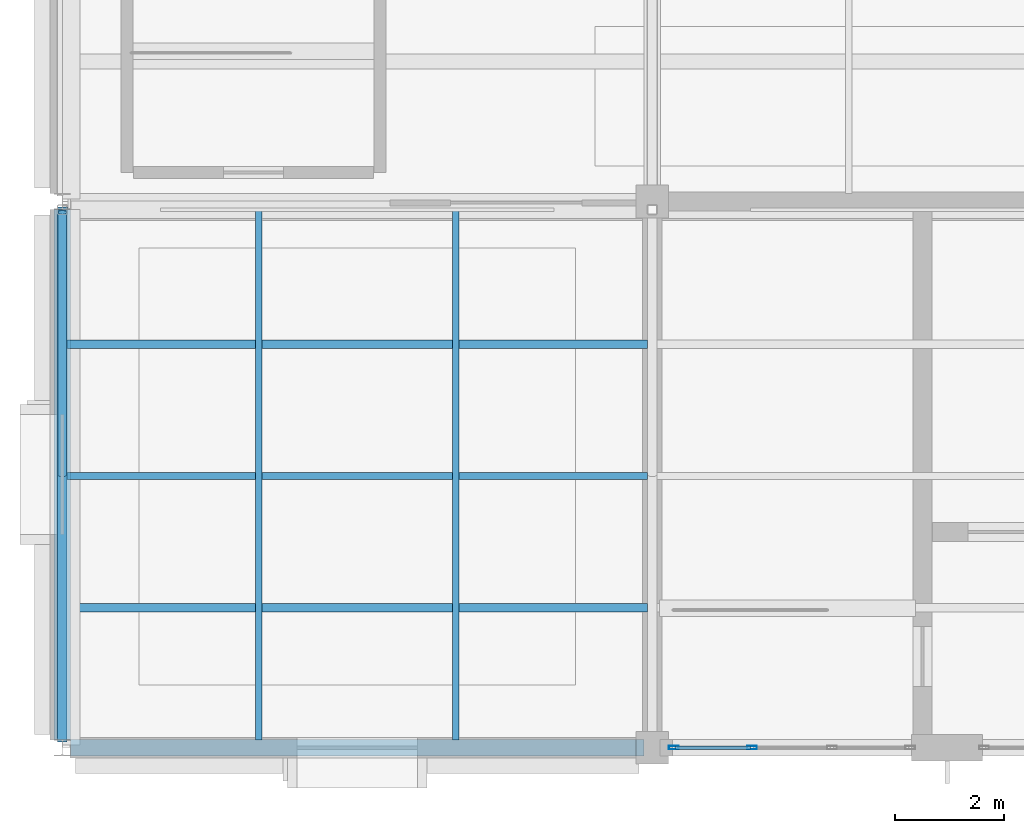
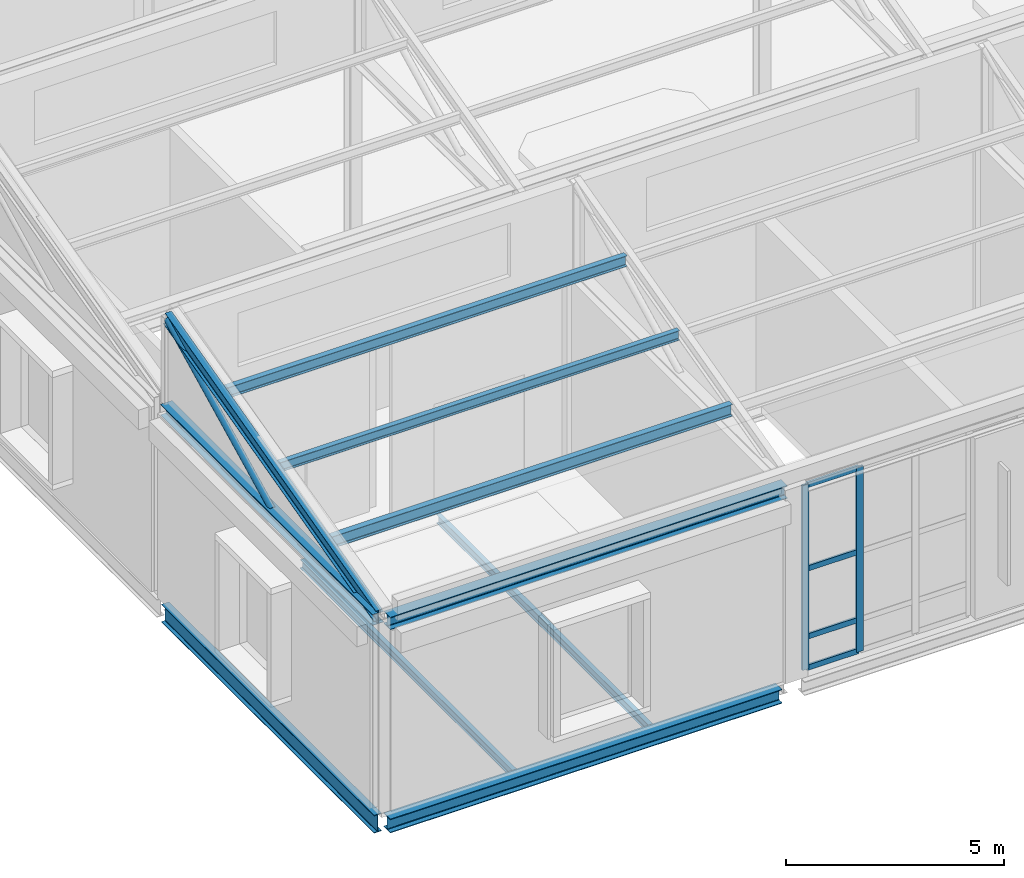
# One storey, part 4 of 49: 12 members, 5 beams, 1 element without a shape of its own.
"""IFC4 building model written with IfcOpenShell, lengths in metres."""

from ifc_helpers import new_model, si_unit, direction, frame, origin, origin_2d, place, context, subcontext, project, spatial, hollow_rectangle, hollow_circle, i_section, extrude, material, layer, layer_set, material_profile, profile_set, type_object, element, aggregate, save


model = new_model("IFC4")

# Units and contexts
model_context = context("Model", 3, precision=1e-05, world=origin(), true_north=direction((0.0, 1.0)))
body_context = subcontext(model_context, "Body", "Model", "MODEL_VIEW")
ifc_project = project(units=[si_unit("LENGTHUNIT", "METRE"), si_unit("AREAUNIT", "SQUARE_METRE"), si_unit("VOLUMEUNIT", "CUBIC_METRE"), si_unit("PLANEANGLEUNIT", "RADIAN"), si_unit("MASSUNIT", "GRAM", prefix="KILO")], contexts=[model_context])

# Site, building, storey
site_placement = place(None, origin())
site = spatial("IfcSite", under=ifc_project, at=site_placement, CompositionType="ELEMENT")
building_placement = place(site_placement, origin())
building = spatial("IfcBuilding", under=site, at=building_placement, Name="Tasgan Crest Museum", CompositionType="ELEMENT")
storey_placement = place(building_placement, frame((0.0, 0.0, 28.800048828125)))
storey = spatial("IfcBuildingStorey", under=building, at=storey_placement, Name="L05", CompositionType="ELEMENT", Elevation=28.800048828125)

# Beams
ifc_material_1 = material(Name="Steel S355J2", Category="steel")
ifc_material_profile_1 = material_profile(ifc_material_1, i_section(OverallWidth=0.300048828125, OverallDepth=0.35009765625, WebThickness=0.009521484375, FlangeThickness=0.017578125, FilletRadius=0.027099609375, at=origin_2d()), Name="HEA 360")
ifc_profile_set_1 = profile_set([ifc_material_profile_1], Name="Steel S355J2")
beam_type_1 = type_object("IfcBeamType", Name="BM-G-HEA360", PredefinedType="BEAM", material=ifc_profile_set_1)
beam_1_placement = place(storey_placement, frame((0.14990234375, 82.0, 5.219970703125), z_axis=(1.0, 0.0, 0.0), x_axis=(0.0, 1.0, 0.0)))
element("IfcBeam", 1, at=beam_1_placement, inside=storey, type_object=beam_type_1, Name="Sawtooth valley girder B1 0.0-10.8", PredefinedType="BEAM", context=body_context, shape_type="SweptSolid", body=[
    extrude(i_section(OverallWidth=0.300048828125, OverallDepth=0.35009765625, WebThickness=0.009521484375, FlangeThickness=0.017578125, FilletRadius=0.027099609375, at=origin_2d()), origin(), (0.0, 0.0, 1.0), 10.5),
])
ifc_material_2 = material(Name="Steel S355J2", Category="steel")
ifc_material_profile_2 = material_profile(ifc_material_2, i_section(OverallWidth=0.300048828125, OverallDepth=0.389892578125, WebThickness=0.010986328125, FlangeThickness=0.01904296875, FilletRadius=0.027099609375, at=origin_2d()), Name="HEA 400")
ifc_profile_set_2 = profile_set([ifc_material_profile_2], Name="Steel S355J2")
beam_type_2 = type_object("IfcBeamType", Name="BM-G-HEA400", PredefinedType="BEAM", material=ifc_profile_set_2)
beam_2_placement = place(storey_placement, frame((0.14599609375, 82.0, -0.43505859375), z_axis=(1.0, 0.0, 0.0), x_axis=(0.0, 1.0, 0.0)))
element("IfcBeam", 2, at=beam_2_placement, inside=storey, type_object=beam_type_2, Name="Girder L05 J 0.0-10.8", PredefinedType="BEAM", context=body_context, shape_type="SweptSolid", body=[
    extrude(i_section(OverallWidth=0.300048828125, OverallDepth=0.389892578125, WebThickness=0.010986328125, FlangeThickness=0.01904296875, FilletRadius=0.027099609375, at=origin_2d()), origin(), (0.0, 0.0, 1.0), 10.35791015625),
])
ifc_material_3 = material(Name="Steel S355J2", Category="steel")
ifc_material_profile_3 = material_profile(ifc_material_3, i_section(OverallWidth=0.199951171875, OverallDepth=0.5, WebThickness=0.01025390625, FlangeThickness=0.01611328125, FilletRadius=0.02099609375, at=origin_2d()), Name="IPE 500")
ifc_profile_set_3 = profile_set([ifc_material_profile_3], Name="Steel S355J2")
beam_type_3 = type_object("IfcBeamType", Name="BM-G-IPE500", PredefinedType="BEAM", material=ifc_profile_set_3)
beam_3_placement = place(storey_placement, frame((0.0, 82.1650390625, -0.489990234375), z_axis=(0.0, 1.0, 0.0), x_axis=(-1.0, 0.0, 0.0)))
element("IfcBeam", 3, at=beam_3_placement, inside=storey, type_object=beam_type_3, Name="Beam L05 1 82.0-92.0", PredefinedType="BEAM", context=body_context, shape_type="SweptSolid", body=[
    extrude(i_section(OverallWidth=0.199951171875, OverallDepth=0.5, WebThickness=0.01025390625, FlangeThickness=0.01611328125, FilletRadius=0.02099609375, at=origin_2d()), origin(), (0.0, 0.0, 1.0), 9.72998046875),
])
ifc_material_4 = material(Name="Steel S355J2", Category="steel")
ifc_material_profile_4 = material_profile(ifc_material_4, i_section(OverallWidth=0.1201171875, OverallDepth=0.239990234375, WebThickness=0.006103515625, FlangeThickness=0.009765625, FilletRadius=0.014892578125, at=origin_2d()), Name="IPE 240")
ifc_profile_set_4 = profile_set([ifc_material_profile_4], Name="Steel S355J2")
beam_type_4 = type_object("IfcBeamType", Name="BM-J-IPE240", PredefinedType="JOIST", material=ifc_profile_set_4)
for number, where, z_axis, x_axis, name in (
    (4, (3.60009765625, 82.14501953125, -0.360107421875), (0.0, 1.0, 0.0), (-1.0, 0.0, 0.0), "Secondary joist L05 X=3.6 Y=82.0-92.0"),
    (5, (7.199951171875, 82.14501953125, -0.360107421875), (0.0, 1.0, 0.0), (-1.0, 0.0, 0.0), "Secondary joist L05 X=7.2 Y=82.0-92.0"),
):
    element("IfcBeam", number, at=place(storey_placement, frame(where, z_axis=z_axis, x_axis=x_axis)), inside=storey, type_object=beam_type_4, Name=name, PredefinedType="JOIST", context=body_context, shape_type="SweptSolid", body=[
        extrude(i_section(OverallWidth=0.1201171875, OverallDepth=0.239990234375, WebThickness=0.006103515625, FlangeThickness=0.009765625, FilletRadius=0.014892578125, at=origin_2d()), origin(), (0.0, 0.0, 1.0), 9.7099609375),
    ])

# Curtain wall, members
ifc_material_5 = material(Name="Triple-Glazed Aluminium Curtain Wall", Category="aluminium")
ifc_layer = layer(ifc_material_5, 0.179931640625, Name="CW-CORE-STRIP-54")
ifc_layer_set = layer_set([ifc_layer], Name="Triple-Glazed Aluminium Curtain Wall")
curtain_wall_type = type_object("IfcCurtainWallType", Name="CW-CORE-STRIP-54", PredefinedType="NOTDEFINED", material=ifc_layer_set)
curtain_wall_placement = place(storey_placement, origin())
curtain_wall = element("IfcCurtainWall", 6, at=curtain_wall_placement, inside=storey, type_object=curtain_wall_type, Name="Curtain wall L05 211", PredefinedType="NOTDEFINED")
ifc_material_6 = material(Name="Anodised Aluminium", Category="aluminium")
ifc_material_profile_5 = material_profile(ifc_material_6, hollow_rectangle(XDim=0.06494140625, YDim=0.179931640625, WallThickness=0.0048828125, at=origin_2d()), Name="ALU MULLION 180x65x5")
ifc_profile_set_5 = profile_set([ifc_material_profile_5], Name="Anodised Aluminium")
member_type_1 = type_object("IfcMemberType", Name="CW-MULLION-180", PredefinedType="MULLION", material=ifc_profile_set_5)
member_1_placement = place(storey_placement, frame((11.195068359375, 82.0, 0.0), z_axis=(0.0, 0.0, 1.0), x_axis=(0.0, 1.0, 0.0)))
member_1 = element("IfcMember", 7, at=member_1_placement, type_object=member_type_1, Name="CW21 mullion 1", PredefinedType="MULLION", context=body_context, shape_type="SweptSolid", body=[
    extrude(hollow_rectangle(XDim=0.06494140625, YDim=0.179931640625, WallThickness=0.0048828125, at=origin_2d()), origin(), (0.0, 0.0, 1.0), 5.159912109375),
])
member_2_placement = place(storey_placement, frame((12.62841796875, 82.0, 0.0), z_axis=(0.0, 0.0, 1.0), x_axis=(0.0, 1.0, 0.0)))
member_2 = element("IfcMember", 8, at=member_2_placement, type_object=member_type_1, Name="CW21 mullion 2", PredefinedType="MULLION", context=body_context, shape_type="SweptSolid", body=[
    extrude(hollow_rectangle(XDim=0.06494140625, YDim=0.179931640625, WallThickness=0.0048828125, at=origin_2d()), origin(), (0.0, 0.0, 1.0), 5.159912109375),
])
ifc_material_7 = material(Name="Anodised Aluminium", Category="aluminium")
ifc_material_profile_6 = material_profile(ifc_material_7, hollow_rectangle(XDim=0.06005859375, YDim=0.14990234375, WallThickness=0.0048828125, at=origin_2d()), Name="ALU TRANSOM 150x60x5")
ifc_profile_set_6 = profile_set([ifc_material_profile_6], Name="Anodised Aluminium")
member_type_2 = type_object("IfcMemberType", Name="CW-TRANSOM-150", PredefinedType="USERDEFINED", material=ifc_profile_set_6)
member_3_placement = place(storey_placement, frame((11.22509765625, 82.0, 0.030029296875), z_axis=(1.0, 0.0, 0.0), x_axis=(0.0, 1.0, 0.0)))
member_3 = element("IfcMember", 9, at=member_3_placement, type_object=member_type_2, Name="CW21 transom 1.1", ObjectType="TRANSOM", PredefinedType="USERDEFINED", context=body_context, shape_type="SweptSolid", body=[
    extrude(hollow_rectangle(XDim=0.06005859375, YDim=0.14990234375, WallThickness=0.0048828125, at=origin_2d()), origin(), (0.0, 0.0, 1.0), 1.373291015625),
])
member_4_placement = place(storey_placement, frame((11.22509765625, 82.0, 0.89990234375), z_axis=(1.0, 0.0, 0.0), x_axis=(0.0, 1.0, 0.0)))
member_4 = element("IfcMember", 10, at=member_4_placement, type_object=member_type_2, Name="CW21 transom 1.2", ObjectType="TRANSOM", PredefinedType="USERDEFINED", context=body_context, shape_type="SweptSolid", body=[
    extrude(hollow_rectangle(XDim=0.06005859375, YDim=0.14990234375, WallThickness=0.0048828125, at=origin_2d()), origin(), (0.0, 0.0, 1.0), 1.373291015625),
])
member_5_placement = place(storey_placement, frame((11.22509765625, 82.0, 2.800048828125), z_axis=(1.0, 0.0, 0.0), x_axis=(0.0, 1.0, 0.0)))
member_5 = element("IfcMember", 11, at=member_5_placement, type_object=member_type_2, Name="CW21 transom 1.3", ObjectType="TRANSOM", PredefinedType="USERDEFINED", context=body_context, shape_type="SweptSolid", body=[
    extrude(hollow_rectangle(XDim=0.06005859375, YDim=0.14990234375, WallThickness=0.0048828125, at=origin_2d()), origin(), (0.0, 0.0, 1.0), 1.373291015625),
])
member_6_placement = place(storey_placement, frame((11.22509765625, 82.0, 5.1298828125), z_axis=(1.0, 0.0, 0.0), x_axis=(0.0, 1.0, 0.0)))
member_6 = element("IfcMember", 12, at=member_6_placement, type_object=member_type_2, Name="CW21 transom 1.4", ObjectType="TRANSOM", PredefinedType="USERDEFINED", context=body_context, shape_type="SweptSolid", body=[
    extrude(hollow_rectangle(XDim=0.06005859375, YDim=0.14990234375, WallThickness=0.0048828125, at=origin_2d()), origin(), (0.0, 0.0, 1.0), 1.373291015625),
])
aggregate(curtain_wall, [member_1, member_2, member_3, member_4, member_5, member_6])

# Members
ifc_material_8 = material(Name="Steel S355J2", Category="steel")
ifc_material_profile_7 = material_profile(ifc_material_8, i_section(OverallWidth=0.14990234375, OverallDepth=0.300048828125, WebThickness=0.007080078125, FlangeThickness=0.0107421875, FilletRadius=0.014892578125, at=origin_2d()), Name="IPE 300")
ifc_profile_set_7 = profile_set([ifc_material_profile_7], Name="Steel S355J2")
member_type_3 = type_object("IfcMemberType", Name="MEM-PUR-IPE300", PredefinedType="PURLIN", material=ifc_profile_set_7)
member_7_placement = place(storey_placement, frame((0.0849609375, 89.387451171875, 7.1298828125), z_axis=(1.0, 0.0, 0.0), x_axis=(0.0, 1.0, 0.0)))
element("IfcMember", 13, at=member_7_placement, inside=storey, type_object=member_type_3, Name="Sawtooth roof purlin B1 0.0-10.8 P3", PredefinedType="PURLIN", context=body_context, shape_type="SweptSolid", body=[
    extrude(i_section(OverallWidth=0.14990234375, OverallDepth=0.300048828125, WebThickness=0.007080078125, FlangeThickness=0.0107421875, FilletRadius=0.014892578125, at=origin_2d()), origin(), (0.0, 0.0, 1.0), 10.630126953125),
])
ifc_material_9 = material(Name="Steel S355J2", Category="steel")
ifc_material_profile_8 = material_profile(ifc_material_9, i_section(OverallWidth=0.159912109375, OverallDepth=0.330078125, WebThickness=0.007568359375, FlangeThickness=0.011474609375, FilletRadius=0.01806640625, at=origin_2d()), Name="IPE 330")
ifc_profile_set_8 = profile_set([ifc_material_profile_8], Name="Steel S355J2")
member_type_4 = type_object("IfcMemberType", Name="MEM-PUR-IPE330", PredefinedType="PURLIN", material=ifc_profile_set_8)
member_8_placement = place(storey_placement, frame((0.0849609375, 84.5625, 5.889892578125), z_axis=(1.0, 0.0, 0.0), x_axis=(0.0, 1.0, 0.0)))
element("IfcMember", 14, at=member_8_placement, inside=storey, type_object=member_type_4, Name="Sawtooth roof purlin B1 0.0-10.8 P1", PredefinedType="PURLIN", context=body_context, shape_type="SweptSolid", body=[
    extrude(i_section(OverallWidth=0.159912109375, OverallDepth=0.330078125, WebThickness=0.007568359375, FlangeThickness=0.011474609375, FilletRadius=0.01806640625, at=origin_2d()), origin(), (0.0, 0.0, 1.0), 10.630126953125),
])
ifc_material_10 = material(Name="Steel S355J2", Category="steel")
ifc_material_profile_9 = material_profile(ifc_material_10, i_section(OverallWidth=0.135009765625, OverallDepth=0.27001953125, WebThickness=0.006591796875, FlangeThickness=0.01025390625, FilletRadius=0.014892578125, at=origin_2d()), Name="IPE 270")
ifc_profile_set_9 = profile_set([ifc_material_profile_9], Name="Steel S355J2")
member_type_5 = type_object("IfcMemberType", Name="MEM-PURLIN-270", PredefinedType="PURLIN", material=ifc_profile_set_9)
member_9_placement = place(storey_placement, frame((0.0849609375, 86.97509765625, 6.510009765625), z_axis=(1.0, 0.0, 0.0), x_axis=(0.0, 1.0, 0.0)))
element("IfcMember", 15, at=member_9_placement, inside=storey, type_object=member_type_5, Name="Sawtooth roof purlin B1 0.0-10.8 P2", PredefinedType="PURLIN", context=body_context, shape_type="SweptSolid", body=[
    extrude(i_section(OverallWidth=0.135009765625, OverallDepth=0.27001953125, WebThickness=0.006591796875, FlangeThickness=0.01025390625, FilletRadius=0.014892578125, at=origin_2d()), origin(), (0.0, 0.0, 1.0), 10.630126953125),
])
ifc_material_11 = material(Name="Steel S355K2", Category="steel")
ifc_material_profile_10 = material_profile(ifc_material_11, i_section(OverallWidth=0.300048828125, OverallDepth=0.31005859375, WebThickness=0.009033203125, FlangeThickness=0.015380859375, FilletRadius=0.027099609375, at=origin_2d()), Name="HEA 320")
ifc_profile_set_10 = profile_set([ifc_material_profile_10], Name="Steel S355K2")
member_type_6 = type_object("IfcMemberType", Name="TR-SAW-CHORD", PredefinedType="CHORD", material=ifc_profile_set_10)
member_10_placement = place(storey_placement, frame((0.0, 82.14990234375, 5.239990234375), z_axis=(0.0, 1.0, 0.0), x_axis=(-1.0, 0.0, 0.0)))
element("IfcMember", 16, at=member_10_placement, inside=storey, type_object=member_type_6, Name="Roof truss bottom chord B1 1", PredefinedType="CHORD", context=body_context, shape_type="SweptSolid", body=[
    extrude(i_section(OverallWidth=0.300048828125, OverallDepth=0.31005859375, WebThickness=0.009033203125, FlangeThickness=0.015380859375, FilletRadius=0.027099609375, at=origin_2d()), origin(), (0.0, 0.0, 1.0), 9.7001953125),
])
ifc_material_12 = material(Name="Steel S355K2", Category="steel")
ifc_material_profile_11 = material_profile(ifc_material_12, hollow_circle(Radius=0.084228515625, WallThickness=0.008056640625, at=origin_2d()), Name="CHS 168.3x8")
ifc_profile_set_11 = profile_set([ifc_material_profile_11], Name="Steel S355K2")
member_type_7 = type_object("IfcMemberType", Name="TR-SAW-DIAG", PredefinedType="BRACE", material=ifc_profile_set_11)
member_11_placement = place(storey_placement, frame((0.0, 87.0, 5.349853515625), z_axis=(0.0, 0.894418092416, 0.447231792205), x_axis=(-1.0, 0.0, 0.0)))
element("IfcMember", 17, at=member_11_placement, inside=storey, type_object=member_type_7, Name="Roof truss diagonal B1 1", PredefinedType="BRACE", context=body_context, shape_type="SweptSolid", body=[
    extrude(hollow_circle(Radius=0.084228515625, WallThickness=0.008056640625, at=origin_2d()), origin(), (0.0, 0.0, 1.0), 5.36669921875),
])
ifc_material_13 = material(Name="Steel S355K2", Category="steel")
ifc_material_profile_12 = material_profile(ifc_material_13, i_section(OverallWidth=0.169921875, OverallDepth=0.360107421875, WebThickness=0.008056640625, FlangeThickness=0.0126953125, FilletRadius=0.01806640625, at=origin_2d()), Name="IPE 360")
ifc_profile_set_12 = profile_set([ifc_material_profile_12], Name="Steel S355K2")
member_type_8 = type_object("IfcMemberType", Name="TR-SAW-RAFTER", PredefinedType="RAFTER", material=ifc_profile_set_12)
member_12_placement = place(storey_placement, frame((0.0, 82.14990234375, 5.320068359375), z_axis=(0.0, 0.968528888954, 0.248901167657), x_axis=(-1.0, 0.0, 0.0)))
element("IfcMember", 18, at=member_12_placement, inside=storey, type_object=member_type_8, Name="Roof truss rafter B1 1", PredefinedType="RAFTER", context=body_context, shape_type="SweptSolid", body=[
    extrude(i_section(OverallWidth=0.169921875, OverallDepth=0.360107421875, WebThickness=0.008056640625, FlangeThickness=0.0126953125, FilletRadius=0.01806640625, at=origin_2d()), origin(), (0.0, 0.0, 1.0), 9.963623046875),
])

save(model, "model.ifc")
